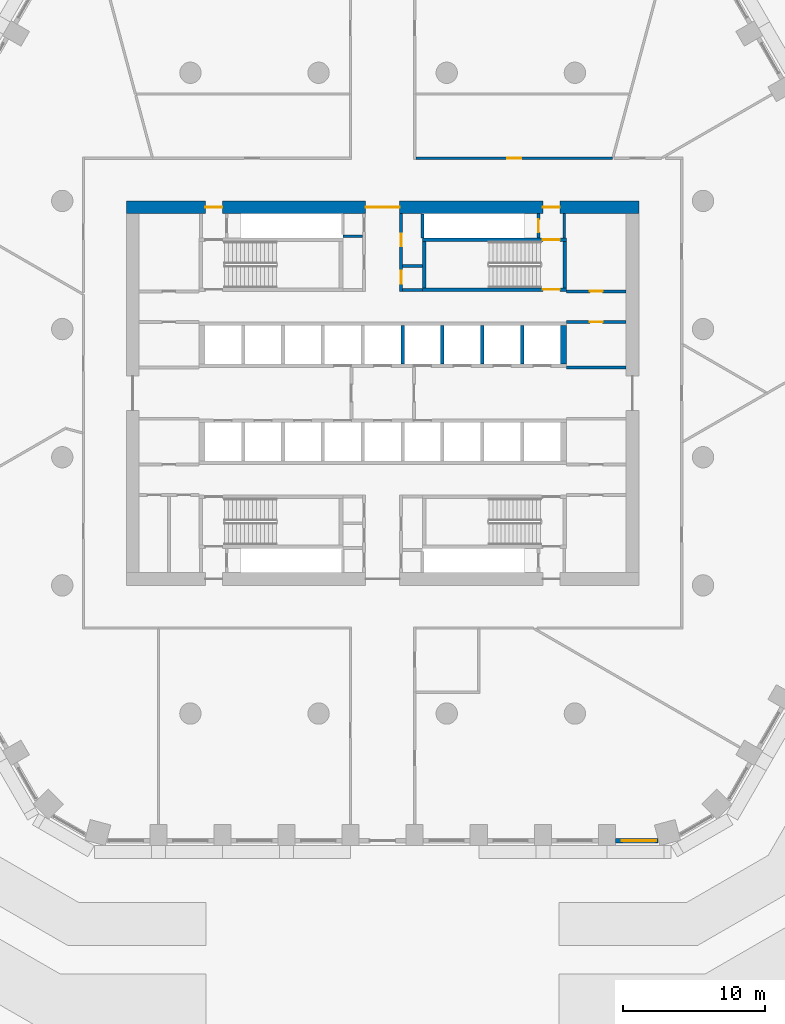
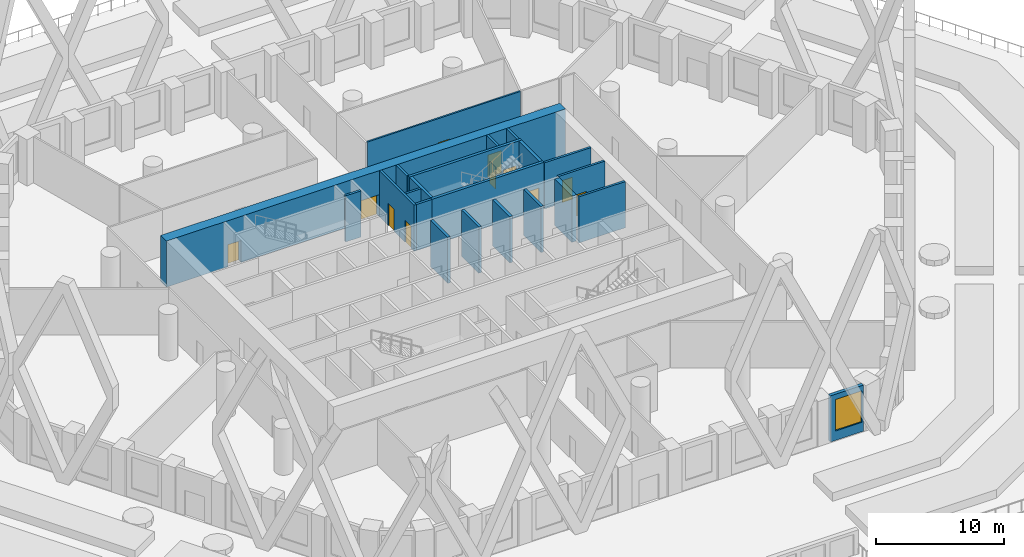
# One storey, part 8 of 27: 22 walls, 11 doors, 1 window, 12 openings.
"""IFC4 building model written with IfcOpenShell, lengths in metres."""

from ifc_helpers import new_model, si_unit, direction, frame, frame_2d, origin, place, context, subcontext, project, spatial, polyline, rectangle, outline, extrude, material, layer, layer_set, type_object, element, fill, save


model = new_model("IFC4")

# Units and contexts
model_context = context("Model", 3, precision=1e-05, world=origin(), true_north=direction((0.0, 1.0)))
body_context = subcontext(model_context, "Body", "Model", "MODEL_VIEW")
ifc_project = project(units=[si_unit("LENGTHUNIT", "METRE"), si_unit("AREAUNIT", "SQUARE_METRE"), si_unit("VOLUMEUNIT", "CUBIC_METRE"), si_unit("PLANEANGLEUNIT", "RADIAN"), si_unit("MASSUNIT", "GRAM", prefix="KILO")], contexts=[model_context])

# Site, building, storey
site_placement = place(None, origin())
site = spatial("IfcSite", under=ifc_project, at=site_placement, CompositionType="ELEMENT")
building_placement = place(site_placement, origin())
building = spatial("IfcBuilding", under=site, at=building_placement, Name="Dhurran Vertical Campus", CompositionType="ELEMENT")
storey_placement = place(building_placement, frame((0.0, 0.0, 10.800048828125)))
storey = spatial("IfcBuildingStorey", under=building, at=storey_placement, Name="L02", CompositionType="ELEMENT", Elevation=10.800048828125)

# Wall, opening, window
ifc_material_1 = material(Name="Precast concrete C50/60", Category="concrete")
ifc_layer_1 = layer(ifc_material_1, 0.300048828125)
ifc_layer_set_1 = layer_set([ifc_layer_1], Name="Precast concrete C50/60")
wall_type_1 = type_object("IfcWallType", Name="Precast spandrel wall 300", PredefinedType="SOLIDWALL", material=ifc_layer_set_1)
wall_1_placement = place(storey_placement, frame((16.3505859375, -31.4296875, 0.0), z_axis=(0.0, 0.0, 1.0), x_axis=(1.0, 0.0, 0.0)))
wall_1 = element("IfcWall", 1, at=wall_1_placement, inside=storey, type_object=wall_type_1, Name="EW1 L02.08", PredefinedType="SOLIDWALL", context=body_context, shape_type="SweptSolid", body=[
    extrude(rectangle(XDim=2.98876953125, YDim=0.300048828125, at=frame_2d((1.494384765625, 0.0))), origin(), (0.0, 0.0, 1.0), 4.39990234375),
])
opening_1_placement = place(wall_1_placement, frame((0.449462890625, 0.0, 0.89990234375)))
opening_1 = element("IfcOpeningElement", 2, at=opening_1_placement, cuts=wall_1, Name="Opening WT2", PredefinedType="OPENING", context=body_context, shape_type="SweptSolid", body=[
    extrude(rectangle(XDim=2.39990234375, YDim=3.0, at=frame_2d((1.199951171875, 1.5))), frame((0.0, 0.159912109375, 0.0), z_axis=(0.0, -1.0, 0.0), x_axis=(1.0, 0.0, 0.0)), (0.0, 0.0, 1.0), 0.320068359375),
])
ifc_material_2 = material(Name="Aluminium frame with solar-control glass", Category="aluminium")
window_type = type_object("IfcWindowType", Name="Podium window 2400 x 3000", PartitioningType="SINGLE_PANEL", PredefinedType="WINDOW", material=ifc_material_2)
window_placement = place(opening_1_placement, origin())
window = element("IfcWindow", 3, at=window_placement, inside=storey, type_object=window_type, Name="WT2 L02.08", OverallHeight=3.0, OverallWidth=2.39990234375, PartitioningType="SINGLE_PANEL", PredefinedType="WINDOW", context=body_context, shape_type="SweptSolid", body=[
    extrude(rectangle(XDim=2.39990234375, YDim=3.0, at=frame_2d((1.199951171875, 1.5))), frame((0.0, 0.030029296875, 0.0), z_axis=(0.0, -1.0, 0.0), x_axis=(1.0, 0.0, 0.0)), (0.0, 0.0, 1.0), 0.06005859375),
])
fill(opening_1, window)

# Wall, openings, doors
ifc_material_3 = material(Name="Concrete C60/75", Category="concrete")
ifc_layer_2 = layer(ifc_material_3, 0.89990234375)
ifc_layer_set_2 = layer_set([ifc_layer_2], Name="Concrete C60/75")
wall_type_2 = type_object("IfcWallType", Name="co-CORE-WALL-C0-900", PredefinedType="SHEAR", material=ifc_layer_set_2)
wall_2_placement = place(storey_placement, frame((-18.0, 13.050048828125, 0.0), z_axis=(0.0, 0.0, 1.0), x_axis=(1.0, 0.0, 0.0)))
wall_2 = element("IfcWall", 4, at=wall_2_placement, inside=storey, type_object=wall_type_2, Name="Core wall N L02", PredefinedType="SHEAR", context=body_context, shape_type="SweptSolid", body=[
    extrude(rectangle(XDim=36.0, YDim=0.89990234375, at=frame_2d((18.0, 0.0))), origin(), (0.0, 0.0, 1.0), 4.39990234375),
])
opening_2_placement = place(wall_2_placement, frame((16.800048828125, 0.0, 0.0)))
opening_2 = element("IfcOpeningElement", 5, at=opening_2_placement, cuts=wall_2, Name="Opening CV1", PredefinedType="OPENING", context=body_context, shape_type="SweptSolid", body=[
    extrude(rectangle(XDim=2.39990234375, YDim=2.10009765625, at=frame_2d((1.199951171875, 1.050048828125))), frame((0.0, 0.4599609375, 0.0), z_axis=(0.0, -1.0, 0.0), x_axis=(1.0, 0.0, 0.0)), (0.0, 0.0, 1.0), 0.919921875),
])
opening_3_placement = place(wall_2_placement, frame((5.550048828125, 0.0, 0.0)))
opening_3 = element("IfcOpeningElement", 6, at=opening_3_placement, cuts=wall_2, Name="Opening XD1", PredefinedType="OPENING", context=body_context, shape_type="SweptSolid", body=[
    extrude(rectangle(XDim=1.199951171875, YDim=2.10009765625, at=frame_2d((0.60009765625, 1.050048828125))), frame((0.0, 0.4599609375, 0.0), z_axis=(0.0, -1.0, 0.0), x_axis=(1.0, 0.0, 0.0)), (0.0, 0.0, 1.0), 0.919921875),
])
opening_4_placement = place(wall_2_placement, frame((29.25, 0.0, 0.0)))
opening_4 = element("IfcOpeningElement", 7, at=opening_4_placement, cuts=wall_2, Name="Opening XD2", PredefinedType="OPENING", context=body_context, shape_type="SweptSolid", body=[
    extrude(rectangle(XDim=1.199951171875, YDim=2.10009765625, at=frame_2d((0.60009765625, 1.050048828125))), frame((0.0, 0.4599609375, 0.0), z_axis=(0.0, -1.0, 0.0), x_axis=(1.0, 0.0, 0.0)), (0.0, 0.0, 1.0), 0.919921875),
])
ifc_material_4 = material(Name="Fire-rated glazed door set")
door_type_1 = type_object("IfcDoorType", Name="co-D-LOBBY 2400x2100", OperationType="DOUBLE_DOOR_DOUBLE_SWING", PredefinedType="DOOR", material=ifc_material_4)
door_1_placement = place(opening_2_placement, origin())
door_1 = element("IfcDoor", 8, at=door_1_placement, inside=storey, type_object=door_type_1, Name="Core vestibule door N L02", OperationType="DOUBLE_DOOR_DOUBLE_SWING", OverallHeight=2.10009765625, OverallWidth=2.39990234375, PredefinedType="DOOR", context=body_context, shape_type="SweptSolid", body=[
    extrude(rectangle(XDim=2.39990234375, YDim=2.10009765625, at=frame_2d((1.199951171875, 1.050048828125))), frame((0.0, 0.02490234375, 0.0), z_axis=(0.0, -1.0, 0.0), x_axis=(1.0, 0.0, 0.0)), (0.0, 0.0, 1.0), 0.050048828125),
])
fill(opening_2, door_1)
ifc_material_5 = material(Name="Fire-rated steel door set", Category="steel")
door_type_2 = type_object("IfcDoorType", Name="co-D-STAIR-EXIT 1200x2100", OperationType="SINGLE_SWING_RIGHT", PredefinedType="DOOR", material=ifc_material_5)
door_2_placement = place(opening_3_placement, origin())
door_2 = element("IfcDoor", 9, at=door_2_placement, inside=storey, type_object=door_type_2, Name="Stair ST1 exit door L02", OperationType="SINGLE_SWING_RIGHT", OverallHeight=2.10009765625, OverallWidth=1.199951171875, PredefinedType="DOOR", context=body_context, shape_type="SweptSolid", body=[
    extrude(rectangle(XDim=1.199951171875, YDim=2.10009765625, at=frame_2d((0.60009765625, 1.050048828125))), frame((0.0, 0.02490234375, 0.0), z_axis=(0.0, -1.0, 0.0), x_axis=(1.0, 0.0, 0.0)), (0.0, 0.0, 1.0), 0.050048828125),
])
fill(opening_3, door_2)
door_3_placement = place(opening_4_placement, origin())
door_3 = element("IfcDoor", 10, at=door_3_placement, inside=storey, type_object=door_type_2, Name="Stair ST2 exit door L02", OperationType="SINGLE_SWING_RIGHT", OverallHeight=2.10009765625, OverallWidth=1.199951171875, PredefinedType="DOOR", context=body_context, shape_type="SweptSolid", body=[
    extrude(rectangle(XDim=1.199951171875, YDim=2.10009765625, at=frame_2d((0.60009765625, 1.050048828125))), frame((0.0, 0.02490234375, 0.0), z_axis=(0.0, -1.0, 0.0), x_axis=(1.0, 0.0, 0.0)), (0.0, 0.0, 1.0), 0.050048828125),
])
fill(opening_4, door_3)

# Walls
ifc_material_6 = material(Name="Fire-rated masonry blockwork", Category="masonry")
ifc_layer_3 = layer(ifc_material_6, 0.199951171875)
ifc_layer_set_3 = layer_set([ifc_layer_3], Name="Fire-rated masonry blockwork")
wall_type_3 = type_object("IfcWallType", Name="co-FIRE-PARTITION-200", PredefinedType="PARTITIONING", material=ifc_layer_set_3)
for number, where, z_axis, x_axis, name in (
    (11, (-2.800048828125, 11.02490234375, 0.0), (0.0, 0.0, 1.0), (1.0, 0.0, 0.0), "Core partition sl-NW-cut0 L02"),
    (12, (1.39990234375, 7.25, 0.0), (0.0, 0.0, 1.0), (1.0, 0.0, 0.0), "Core partition sl-NE-S L02"),
    (13, (1.39990234375, 8.925048828125, 0.0), (0.0, 0.0, 1.0), (1.0, 0.0, 0.0), "Core partition sl-NE-cut0 L02"),
):
    element("IfcWall", number, at=place(storey_placement, frame(where, z_axis=z_axis, x_axis=x_axis)), inside=storey, type_object=wall_type_3, Name=name, PredefinedType="PARTITIONING", context=body_context, shape_type="SweptSolid", body=[
        extrude(rectangle(XDim=1.400146484375, YDim=0.199951171875, at=frame_2d((0.7001953125, 0.0))), origin(), (0.0, 0.0, 1.0), 4.39990234375),
    ])

# Wall, openings, doors
wall_3_placement = place(storey_placement, frame((1.300048828125, 7.14990234375, 0.0), z_axis=(0.0, 0.0, 1.0), x_axis=(0.0, 1.0, 0.0)))
wall_3 = element("IfcWall", 14, at=wall_3_placement, inside=storey, type_object=wall_type_3, Name="Core partition vest-NE L02", PredefinedType="PARTITIONING", context=body_context, shape_type="SweptSolid", body=[
    extrude(rectangle(XDim=5.4501953125, YDim=0.199951171875, at=frame_2d((2.72509765625, 0.0))), origin(), (0.0, 0.0, 1.0), 4.39990234375),
])
opening_5_placement = place(wall_3_placement, frame((0.53759765625, 0.0, 0.0)))
opening_5 = element("IfcOpeningElement", 15, at=opening_5_placement, cuts=wall_3, Name="Opening PD02-C8", PredefinedType="OPENING", context=body_context, shape_type="SweptSolid", body=[
    extrude(rectangle(XDim=0.89990234375, YDim=2.10009765625, at=frame_2d((0.449951171875, 1.050048828125))), frame((0.0, 0.10986328125, 0.0), z_axis=(0.0, -1.0, 0.0), x_axis=(1.0, 0.0, 0.0)), (0.0, 0.0, 1.0), 0.219970703125),
])
opening_6_placement = place(wall_3_placement, frame((3.16259765625, 0.0, 0.0)))
opening_6 = element("IfcOpeningElement", 16, at=opening_6_placement, cuts=wall_3, Name="Opening PD02-C9", PredefinedType="OPENING", context=body_context, shape_type="SweptSolid", body=[
    extrude(rectangle(XDim=0.89990234375, YDim=2.10009765625, at=frame_2d((0.449951171875, 1.050048828125))), frame((0.0, 0.10986328125, 0.0), z_axis=(0.0, -1.0, 0.0), x_axis=(1.0, 0.0, 0.0)), (0.0, 0.0, 1.0), 0.219970703125),
])
ifc_material_7 = material(Name="Fire-rated timber door set", Category="wood")
door_type_3 = type_object("IfcDoorType", Name="co-D-ROOM 900x2100", OperationType="SINGLE_SWING_LEFT", PredefinedType="DOOR", material=ifc_material_7)
door_4_placement = place(opening_5_placement, origin())
door_4 = element("IfcDoor", 17, at=door_4_placement, inside=storey, type_object=door_type_3, Name="Print room door L02", OperationType="SINGLE_SWING_LEFT", OverallHeight=2.10009765625, OverallWidth=0.89990234375, PredefinedType="DOOR", context=body_context, shape_type="SweptSolid", body=[
    extrude(rectangle(XDim=0.89990234375, YDim=2.10009765625, at=frame_2d((0.449951171875, 1.050048828125))), frame((0.0, 0.02490234375, 0.0), z_axis=(0.0, -1.0, 0.0), x_axis=(1.0, 0.0, 0.0)), (0.0, 0.0, 1.0), 0.050048828125),
])
fill(opening_5, door_4)
door_5_placement = place(opening_6_placement, origin())
door_5 = element("IfcDoor", 18, at=door_5_placement, inside=storey, type_object=door_type_3, Name="Housekeeping store door L02", OperationType="SINGLE_SWING_LEFT", OverallHeight=2.10009765625, OverallWidth=0.89990234375, PredefinedType="DOOR", context=body_context, shape_type="SweptSolid", body=[
    extrude(rectangle(XDim=0.89990234375, YDim=2.10009765625, at=frame_2d((0.449951171875, 1.050048828125))), frame((0.0, 0.02490234375, 0.0), z_axis=(0.0, -1.0, 0.0), x_axis=(1.0, 0.0, 0.0)), (0.0, 0.0, 1.0), 0.050048828125),
])
fill(opening_6, door_5)

# Wall
wall_4_placement = place(storey_placement, frame((12.75, 10.89990234375, 0.0), z_axis=(0.0, 0.0, 1.0), x_axis=(0.0, 1.0, 0.0)))
element("IfcWall", 19, at=wall_4_placement, inside=storey, type_object=wall_type_3, Name="Core partition pass-ST2-o L02", PredefinedType="PARTITIONING", context=body_context, shape_type="SweptSolid", body=[
    extrude(rectangle(XDim=1.7001953125, YDim=0.199951171875, at=frame_2d((0.85009765625, 0.0))), origin(), (0.0, 0.0, 1.0), 4.39990234375),
])

# Wall, opening, door
wall_5_placement = place(storey_placement, frame((10.949951171875, 10.89990234375, 0.0), z_axis=(0.0, 0.0, 1.0), x_axis=(0.0, 1.0, 0.0)))
wall_5 = element("IfcWall", 20, at=wall_5_placement, inside=storey, type_object=wall_type_3, Name="Core partition pass-ST2-i L02", PredefinedType="PARTITIONING", context=body_context, shape_type="SweptSolid", body=[
    extrude(rectangle(XDim=1.7001953125, YDim=0.199951171875, at=frame_2d((0.85009765625, 0.0))), origin(), (0.0, 0.0, 1.0), 4.39990234375),
])
opening_7_placement = place(wall_5_placement, frame((0.39990234375, 0.0, 0.0)))
opening_7 = element("IfcOpeningElement", 21, at=opening_7_placement, cuts=wall_5, Name="Opening PD02-C11", PredefinedType="OPENING", context=body_context, shape_type="SweptSolid", body=[
    extrude(rectangle(XDim=0.89990234375, YDim=2.10009765625, at=frame_2d((0.449951171875, 1.050048828125))), frame((0.0, 0.10986328125, 0.0), z_axis=(0.0, -1.0, 0.0), x_axis=(1.0, 0.0, 0.0)), (0.0, 0.0, 1.0), 0.219970703125),
])
door_6_placement = place(opening_7_placement, origin())
door_6 = element("IfcDoor", 22, at=door_6_placement, inside=storey, type_object=door_type_3, Name="Riser room door L02", OperationType="SINGLE_SWING_LEFT", OverallHeight=2.10009765625, OverallWidth=0.89990234375, PredefinedType="DOOR", context=body_context, shape_type="SweptSolid", body=[
    extrude(rectangle(XDim=0.89990234375, YDim=2.10009765625, at=frame_2d((0.449951171875, 1.050048828125))), frame((0.0, 0.02490234375, 0.0), z_axis=(0.0, -1.0, 0.0), x_axis=(1.0, 0.0, 0.0)), (0.0, 0.0, 1.0), 0.050048828125),
])
fill(opening_7, door_6)

wall_6_placement = place(storey_placement, frame((12.89990234375, 7.14990234375, 0.0), z_axis=(0.0, 0.0, 1.0), x_axis=(1.0, 0.0, 0.0)))
wall_6 = element("IfcWall", 23, at=wall_6_placement, inside=storey, type_object=wall_type_3, Name="Core partition en-NE-w L02", PredefinedType="PARTITIONING", context=body_context, shape_type="SweptSolid", body=[
    extrude(rectangle(XDim=4.2001953125, YDim=0.199951171875, at=frame_2d((2.10009765625, 0.0))), origin(), (0.0, 0.0, 1.0), 4.39990234375),
])
opening_8_placement = place(wall_6_placement, frame((1.64990234375, 0.0, 0.0)))
opening_8 = element("IfcOpeningElement", 24, at=opening_8_placement, cuts=wall_6, Name="Opening PD02-C16", PredefinedType="OPENING", context=body_context, shape_type="SweptSolid", body=[
    extrude(rectangle(XDim=0.89990234375, YDim=2.10009765625, at=frame_2d((0.449951171875, 1.050048828125))), frame((0.0, 0.10986328125, 0.0), z_axis=(0.0, -1.0, 0.0), x_axis=(1.0, 0.0, 0.0)), (0.0, 0.0, 1.0), 0.219970703125),
])
door_7_placement = place(opening_8_placement, origin())
door_7 = element("IfcDoor", 25, at=door_7_placement, inside=storey, type_object=door_type_3, Name="Water riser door L02", OperationType="SINGLE_SWING_LEFT", OverallHeight=2.10009765625, OverallWidth=0.89990234375, PredefinedType="DOOR", context=body_context, shape_type="SweptSolid", body=[
    extrude(rectangle(XDim=0.89990234375, YDim=2.10009765625, at=frame_2d((0.449951171875, 1.050048828125))), frame((0.0, 0.02490234375, 0.0), z_axis=(0.0, -1.0, 0.0), x_axis=(1.0, 0.0, 0.0)), (0.0, 0.0, 1.0), 0.050048828125),
])
fill(opening_8, door_7)

wall_7_placement = place(storey_placement, frame((12.89990234375, 5.0, 0.0), z_axis=(0.0, 0.0, 1.0), x_axis=(1.0, 0.0, 0.0)))
wall_7 = element("IfcWall", 26, at=wall_7_placement, inside=storey, type_object=wall_type_3, Name="Core partition es-NE-w L02", PredefinedType="PARTITIONING", context=body_context, shape_type="SweptSolid", body=[
    extrude(rectangle(XDim=4.2001953125, YDim=0.199951171875, at=frame_2d((2.10009765625, 0.0))), origin(), (0.0, 0.0, 1.0), 4.39990234375),
])
opening_9_placement = place(wall_7_placement, frame((1.64990234375, 0.0, 0.0)))
opening_9 = element("IfcOpeningElement", 27, at=opening_9_placement, cuts=wall_7, Name="Opening PD02-C17", PredefinedType="OPENING", context=body_context, shape_type="SweptSolid", body=[
    extrude(rectangle(XDim=0.89990234375, YDim=2.10009765625, at=frame_2d((0.449951171875, 1.050048828125))), frame((0.0, 0.10986328125, 0.0), z_axis=(0.0, -1.0, 0.0), x_axis=(1.0, 0.0, 0.0)), (0.0, 0.0, 1.0), 0.219970703125),
])
door_8_placement = place(opening_9_placement, origin())
door_8 = element("IfcDoor", 28, at=door_8_placement, inside=storey, type_object=door_type_3, Name="Server room door L02", OperationType="SINGLE_SWING_LEFT", OverallHeight=2.10009765625, OverallWidth=0.89990234375, PredefinedType="DOOR", context=body_context, shape_type="SweptSolid", body=[
    extrude(rectangle(XDim=0.89990234375, YDim=2.10009765625, at=frame_2d((0.449951171875, 1.050048828125))), frame((0.0, 0.02490234375, 0.0), z_axis=(0.0, -1.0, 0.0), x_axis=(1.0, 0.0, 0.0)), (0.0, 0.0, 1.0), 0.050048828125),
])
fill(opening_9, door_8)

# Walls
wall_8_placement = place(storey_placement, frame((12.89990234375, 1.800048828125, 0.0), z_axis=(0.0, 0.0, 1.0), x_axis=(1.0, 0.0, 0.0)))
element("IfcWall", 29, at=wall_8_placement, inside=storey, type_object=wall_type_3, Name="Core partition es-NE-l L02", PredefinedType="PARTITIONING", context=body_context, shape_type="SweptSolid", body=[
    extrude(rectangle(XDim=4.2001953125, YDim=0.199951171875, at=frame_2d((2.10009765625, 0.0))), origin(), (0.0, 0.0, 1.0), 4.39990234375),
])
wall_9_placement = place(storey_placement, frame((2.800048828125, 12.59912109375, 0.0), z_axis=(0.0, 0.0, 1.0), x_axis=(0.0, -1.0, 0.0)))
element("IfcWall", 30, at=wall_9_placement, inside=storey, type_object=wall_type_3, Name="Riser enclosure wall L02", PredefinedType="PARTITIONING", context=body_context, shape_type="SweptSolid", body=[
    extrude(rectangle(XDim=1.6982421875, YDim=0.199951171875, at=frame_2d((0.84912109375, 0.0))), origin(), (0.0, 0.0, 1.0), 4.39990234375),
])
ifc_material_8 = material(Name="Concrete C50/60", Category="concrete")
ifc_layer_4 = layer(ifc_material_8, 0.25)
ifc_layer_set_4 = layer_set([ifc_layer_4], Name="Concrete C50/60")
wall_type_4 = type_object("IfcWallType", Name="co-SHAFT-MASS-250", PredefinedType="SHEAR", material=ifc_layer_set_4)
wall_10_placement = place(storey_placement, origin())
element("IfcWall", 31, at=wall_10_placement, inside=storey, type_object=wall_type_4, Name="Lift shaft wall N L02 7", PredefinedType="SHEAR", context=body_context, shape_type="SweptSolid", body=[
    extrude(outline(polyline([(1.27490234375, 2.050048828125), (1.52490234375, 2.050048828125), (1.52490234375, 4.75), (1.27490234375, 4.75), (1.27490234375, 2.050048828125)])), origin(), (0.0, 0.0, 1.0), 4.39990234375),
])
wall_11_placement = place(storey_placement, origin())
element("IfcWall", 32, at=wall_11_placement, inside=storey, type_object=wall_type_4, Name="Lift shaft wall N L02 8", PredefinedType="SHEAR", context=body_context, shape_type="SweptSolid", body=[
    extrude(outline(polyline([(4.074951171875, 2.050048828125), (4.324951171875, 2.050048828125), (4.324951171875, 4.75), (4.074951171875, 4.75), (4.074951171875, 2.050048828125)])), origin(), (0.0, 0.0, 1.0), 4.39990234375),
])
wall_12_placement = place(storey_placement, origin())
element("IfcWall", 33, at=wall_12_placement, inside=storey, type_object=wall_type_4, Name="Lift shaft wall N L02 9", PredefinedType="SHEAR", context=body_context, shape_type="SweptSolid", body=[
    extrude(outline(polyline([(6.875, 2.050048828125), (7.125, 2.050048828125), (7.125, 4.75), (6.875, 4.75), (6.875, 2.050048828125)])), origin(), (0.0, 0.0, 1.0), 4.39990234375),
])
wall_13_placement = place(storey_placement, origin())
element("IfcWall", 34, at=wall_13_placement, inside=storey, type_object=wall_type_4, Name="Lift shaft wall N L02 10", PredefinedType="SHEAR", context=body_context, shape_type="SweptSolid", body=[
    extrude(outline(polyline([(9.675048828125, 2.050048828125), (9.925048828125, 2.050048828125), (9.925048828125, 4.75), (9.675048828125, 4.75), (9.675048828125, 2.050048828125)])), origin(), (0.0, 0.0, 1.0), 4.39990234375),
])
wall_14_placement = place(storey_placement, origin())
element("IfcWall", 35, at=wall_14_placement, inside=storey, type_object=wall_type_4, Name="Lift shaft wall N L02 11", PredefinedType="SHEAR", context=body_context, shape_type="SweptSolid", body=[
    extrude(outline(polyline([(12.47509765625, 2.050048828125), (12.89990234375, 2.050048828125), (12.89990234375, 4.75), (12.47509765625, 4.75), (12.47509765625, 2.050048828125)])), origin(), (0.0, 0.0, 1.0), 4.39990234375),
])

# Wall, opening, door
ifc_material_9 = material(Name="Concrete C40/50", Category="concrete")
ifc_layer_5 = layer(ifc_material_9, 0.25)
ifc_layer_set_5 = layer_set([ifc_layer_5], Name="Concrete C40/50")
wall_type_5 = type_object("IfcWallType", Name="co-STAIR-WALL-250", PredefinedType="SHEAR", material=ifc_layer_set_5)
wall_15_placement = place(storey_placement, frame((2.800048828125, 7.27490234375, 0.0), z_axis=(0.0, 0.0, 1.0), x_axis=(1.0, 0.0, 0.0)))
wall_15 = element("IfcWall", 36, at=wall_15_placement, inside=storey, type_object=wall_type_5, Name="Stair ST2 enclosure wall L02", PredefinedType="SHEAR", context=body_context, shape_type="SweptSolid", body=[
    extrude(rectangle(XDim=10.099853515625, YDim=0.25, at=frame_2d((5.0498046875, 0.0))), origin(), (0.0, 0.0, 1.0), 4.39990234375),
])
opening_10_placement = place(wall_15_placement, frame((8.449951171875, 0.0, 0.0)))
opening_10 = element("IfcOpeningElement", 37, at=opening_10_placement, cuts=wall_15, Name="Opening SD2", PredefinedType="OPENING", context=body_context, shape_type="SweptSolid", body=[
    extrude(rectangle(XDim=1.199951171875, YDim=2.10009765625, at=frame_2d((0.60009765625, 1.050048828125))), frame((0.0, 0.135009765625, 0.0), z_axis=(0.0, -1.0, 0.0), x_axis=(1.0, 0.0, 0.0)), (0.0, 0.0, 1.0), 0.27001953125),
])
ifc_material_10 = material(Name="Fire-rated steel door set", Category="steel")
door_type_4 = type_object("IfcDoorType", Name="co-D-STAIR 1200x2100", OperationType="SINGLE_SWING_LEFT", PredefinedType="DOOR", material=ifc_material_10)
door_9_placement = place(opening_10_placement, origin())
door_9 = element("IfcDoor", 38, at=door_9_placement, inside=storey, type_object=door_type_4, Name="Stair ST2 door L02", OperationType="SINGLE_SWING_LEFT", OverallHeight=2.10009765625, OverallWidth=1.199951171875, PredefinedType="DOOR", context=body_context, shape_type="SweptSolid", body=[
    extrude(rectangle(XDim=1.199951171875, YDim=2.10009765625, at=frame_2d((0.60009765625, 1.050048828125))), frame((0.0, 0.02490234375, 0.0), z_axis=(0.0, -1.0, 0.0), x_axis=(1.0, 0.0, 0.0)), (0.0, 0.0, 1.0), 0.050048828125),
])
fill(opening_10, door_9)

wall_16_placement = place(storey_placement, frame((2.800048828125, 10.77490234375, 0.0), z_axis=(0.0, 0.0, 1.0), x_axis=(1.0, 0.0, 0.0)))
wall_16 = element("IfcWall", 39, at=wall_16_placement, inside=storey, type_object=wall_type_5, Name="Stair ST2 enclosure wall L02", PredefinedType="SHEAR", context=body_context, shape_type="SweptSolid", body=[
    extrude(rectangle(XDim=10.099853515625, YDim=0.25, at=frame_2d((5.0498046875, 0.0))), origin(), (0.0, 0.0, 1.0), 4.39990234375),
])
opening_11_placement = place(wall_16_placement, frame((8.449951171875, 0.0, 0.0)))
opening_11 = element("IfcOpeningElement", 40, at=opening_11_placement, cuts=wall_16, Name="Opening XS2", PredefinedType="OPENING", context=body_context, shape_type="SweptSolid", body=[
    extrude(rectangle(XDim=1.199951171875, YDim=2.10009765625, at=frame_2d((0.60009765625, 1.050048828125))), frame((0.0, 0.135009765625, 0.0), z_axis=(0.0, -1.0, 0.0), x_axis=(1.0, 0.0, 0.0)), (0.0, 0.0, 1.0), 0.27001953125),
])
door_10_placement = place(opening_11_placement, origin())
door_10 = element("IfcDoor", 41, at=door_10_placement, inside=storey, type_object=door_type_2, Name="Stair ST2 discharge door L02", OperationType="SINGLE_SWING_RIGHT", OverallHeight=2.10009765625, OverallWidth=1.199951171875, PredefinedType="DOOR", context=body_context, shape_type="SweptSolid", body=[
    extrude(rectangle(XDim=1.199951171875, YDim=2.10009765625, at=frame_2d((0.60009765625, 1.050048828125))), frame((0.0, 0.02490234375, 0.0), z_axis=(0.0, -1.0, 0.0), x_axis=(1.0, 0.0, 0.0)), (0.0, 0.0, 1.0), 0.050048828125),
])
fill(opening_11, door_10)

# Walls
for number, where, z_axis, x_axis, name in (
    (42, (2.925048828125, 7.39990234375, 0.0), (0.0, 0.0, 1.0), (0.0, 1.0, 0.0), "Stair ST2 enclosure wall L02"),
    (43, (12.77490234375, 7.39990234375, 0.0), (0.0, 0.0, 1.0), (0.0, 1.0, 0.0), "Stair ST2 enclosure wall L02"),
):
    element("IfcWall", number, at=place(storey_placement, frame(where, z_axis=z_axis, x_axis=x_axis)), inside=storey, type_object=wall_type_5, Name=name, PredefinedType="SHEAR", context=body_context, shape_type="SweptSolid", body=[
        extrude(rectangle(XDim=3.25, YDim=0.25, at=frame_2d((1.625, 0.0))), origin(), (0.0, 0.0, 1.0), 4.39990234375),
    ])

# Wall, opening, door
ifc_material_11 = material(Name="Gypsum board corridor wall on steel studs", Category="steel")
ifc_layer_6 = layer(ifc_material_11, 0.14990234375)
ifc_layer_set_6 = layer_set([ifc_layer_6], Name="Gypsum board corridor wall on steel studs")
wall_type_6 = type_object("IfcWallType", Name="fl-CW-150 corridor wall", PredefinedType="PARTITIONING", material=ifc_layer_set_6)
wall_17_placement = place(storey_placement, frame((16.156005859375, 16.5, 0.0), z_axis=(0.0, 0.0, 1.0), x_axis=(-1.0, 0.0, 0.0)))
wall_17 = element("IfcWall", 44, at=wall_17_placement, inside=storey, type_object=wall_type_6, Name="Partition 02-23", PredefinedType="PARTITIONING", context=body_context, shape_type="SweptSolid", body=[
    extrude(rectangle(XDim=13.8310546875, YDim=0.14990234375, at=frame_2d((6.91552734375, 0.0))), origin(), (0.0, 0.0, 1.0), 4.39990234375),
])
opening_12_placement = place(wall_17_placement, frame((6.41552734375, 0.0, 0.0)))
opening_12 = element("IfcOpeningElement", 45, at=opening_12_placement, cuts=wall_17, Name="Opening PD02.08", PredefinedType="OPENING", context=body_context, shape_type="SweptSolid", body=[
    extrude(rectangle(XDim=1.0, YDim=2.10009765625, at=frame_2d((0.5, 1.050048828125))), frame((0.0, 0.0849609375, 0.0), z_axis=(0.0, -1.0, 0.0), x_axis=(1.0, 0.0, 0.0)), (0.0, 0.0, 1.0), 0.169921875),
])
ifc_material_12 = material(Name="Solid-core timber door set, fire-rated", Category="wood")
door_type_5 = type_object("IfcDoorType", Name="fl-D-1000x2100", OperationType="SINGLE_SWING_LEFT", PredefinedType="DOOR", material=ifc_material_12)
door_11_placement = place(opening_12_placement, origin())
door_11 = element("IfcDoor", 46, at=door_11_placement, inside=storey, type_object=door_type_5, Name="Door 02.08", OperationType="SINGLE_SWING_RIGHT", OverallHeight=2.10009765625, OverallWidth=1.0, PredefinedType="DOOR", context=body_context, shape_type="SweptSolid", body=[
    extrude(rectangle(XDim=1.0, YDim=2.10009765625, at=frame_2d((0.5, 1.050048828125))), frame((0.0, 0.02490234375, 0.0), z_axis=(0.0, -1.0, 0.0), x_axis=(1.0, 0.0, 0.0)), (0.0, 0.0, 1.0), 0.050048828125),
])
fill(opening_12, door_11)

save(model, "model.ifc")
